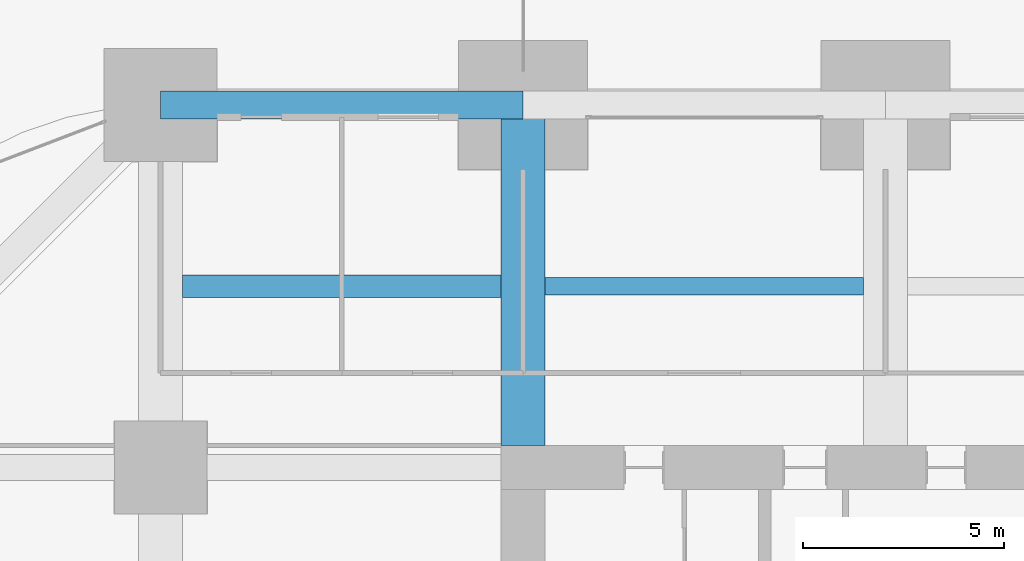
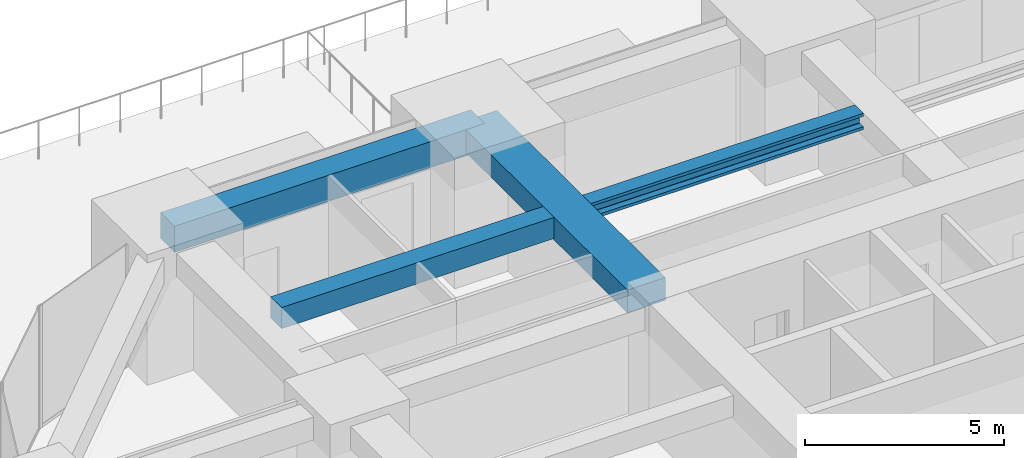
# One storey, part 27 of 50: 4 beams.
"""IFC4 building model written with IfcOpenShell, lengths in metres."""

from ifc_helpers import new_model, si_unit, direction, frame, origin, origin_2d, place, context, subcontext, project, spatial, rectangle, i_section, extrude, material, material_profile, profile_set, type_object, element, save


model = new_model("IFC4")

# Units and contexts
model_context = context("Model", 3, precision=1e-05, world=origin(), true_north=direction((0.0, 1.0)))
body_context = subcontext(model_context, "Body", "Model", "MODEL_VIEW")
ifc_project = project(units=[si_unit("LENGTHUNIT", "METRE"), si_unit("AREAUNIT", "SQUARE_METRE"), si_unit("VOLUMEUNIT", "CUBIC_METRE"), si_unit("PLANEANGLEUNIT", "RADIAN"), si_unit("MASSUNIT", "GRAM", prefix="KILO")], contexts=[model_context])

# Site, building, storey
site_placement = place(None, origin())
site = spatial("IfcSite", under=ifc_project, at=site_placement, CompositionType="ELEMENT")
building_placement = place(site_placement, origin())
building = spatial("IfcBuilding", under=site, at=building_placement, Name="Zorevar Civic Tower", CompositionType="ELEMENT")
storey_placement = place(building_placement, frame((0.0, 0.0, 85.0)))
storey = spatial("IfcBuildingStorey", under=building, at=storey_placement, Name="L20", CompositionType="ELEMENT", Elevation=85.0)

# Beams
ifc_material_1 = material(Name="Concrete C50/60", Category="concrete")
ifc_material_profile_1 = material_profile(ifc_material_1, rectangle(XDim=1.10009765625, YDim=0.699951171875, at=origin_2d()), Name="RC 1100x700")
ifc_profile_set_1 = profile_set([ifc_material_profile_1], Name="Concrete C50/60")
beam_type_1 = type_object("IfcBeamType", Name="Beam RC 1100x700", PredefinedType="BEAM", material=ifc_profile_set_1)
beam_1_placement = place(storey_placement, frame((18.0, 36.550048828125, 3.39990234375), z_axis=(0.0, 1.0, 0.0), x_axis=(-1.0, 0.0, 0.0)))
element("IfcBeam", 1, at=beam_1_placement, inside=storey, type_object=beam_type_1, Name="Girder L21", PredefinedType="BEAM", context=body_context, shape_type="SweptSolid", body=[
    extrude(rectangle(XDim=1.10009765625, YDim=0.699951171875, at=origin_2d()), origin(), (0.0, 0.0, 1.0), 8.449951171875),
])
ifc_material_2 = material(Name="Concrete C50/60", Category="concrete")
ifc_material_profile_2 = material_profile(ifc_material_2, rectangle(XDim=0.550048828125, YDim=0.64990234375, at=origin_2d()), Name="RC 550x650")
ifc_profile_set_2 = profile_set([ifc_material_profile_2], Name="Concrete C50/60")
beam_type_2 = type_object("IfcBeamType", Name="Beam RC 550x650", PredefinedType="BEAM", material=ifc_profile_set_2)
beam_2_placement = place(storey_placement, frame((9.550048828125, 40.5, 3.425048828125), z_axis=(1.0, 0.0, 0.0), x_axis=(0.0, 1.0, 0.0)))
element("IfcBeam", 2, at=beam_2_placement, inside=storey, type_object=beam_type_2, Name="Secondary beam L21", PredefinedType="BEAM", context=body_context, shape_type="SweptSolid", body=[
    extrude(rectangle(XDim=0.550048828125, YDim=0.64990234375, at=origin_2d()), origin(), (0.0, 0.0, 1.0), 7.89990234375),
])
ifc_material_3 = material(Name="Steel S460M (HISTAR 460)", Category="steel")
ifc_material_profile_3 = material_profile(ifc_material_3, i_section(OverallWidth=0.431884765625, OverallDepth=0.498046875, WebThickness=0.0556640625, FlangeThickness=0.0888671875, FilletRadius=0.014892578125, at=origin_2d()), Name="HD 400x744")
ifc_profile_set_3 = profile_set([ifc_material_profile_3], Name="Steel S460M (HISTAR 460)")
beam_type_3 = type_object("IfcBeamType", Name="Core bay beam HD 400x744", PredefinedType="BEAM", material=ifc_profile_set_3)
beam_3_placement = place(storey_placement, frame((18.550048828125, 40.5, 3.5009765625), z_axis=(1.0, 0.0, 0.0), x_axis=(0.0, 1.0, 0.0)))
element("IfcBeam", 3, at=beam_3_placement, inside=storey, type_object=beam_type_3, Name="Secondary beam L21", PredefinedType="BEAM", context=body_context, shape_type="SweptSolid", body=[
    extrude(i_section(OverallWidth=0.431884765625, OverallDepth=0.498046875, WebThickness=0.0556640625, FlangeThickness=0.0888671875, FilletRadius=0.014892578125, at=origin_2d()), origin(), (0.0, 0.0, 1.0), 7.89990234375),
])
ifc_material_4 = material(Name="Concrete C50/60", Category="concrete")
ifc_material_profile_4 = material_profile(ifc_material_4, rectangle(XDim=0.699951171875, YDim=0.800048828125, at=origin_2d()), Name="RC 700x800")
ifc_profile_set_4 = profile_set([ifc_material_profile_4], Name="Concrete C50/60")
beam_type_4 = type_object("IfcBeamType", Name="Edge beam RC 700x800", PredefinedType="SPANDREL", material=ifc_profile_set_4)
beam_4_placement = place(storey_placement, frame((9.0, 45.0, 3.35009765625), z_axis=(1.0, 0.0, 0.0), x_axis=(0.0, 1.0, 0.0)))
element("IfcBeam", 4, at=beam_4_placement, inside=storey, type_object=beam_type_4, Name="Edge beam L21", PredefinedType="SPANDREL", context=body_context, shape_type="SweptSolid", body=[
    extrude(rectangle(XDim=0.699951171875, YDim=0.800048828125, at=origin_2d()), origin(), (0.0, 0.0, 1.0), 9.0),
])

save(model, "model.ifc")
